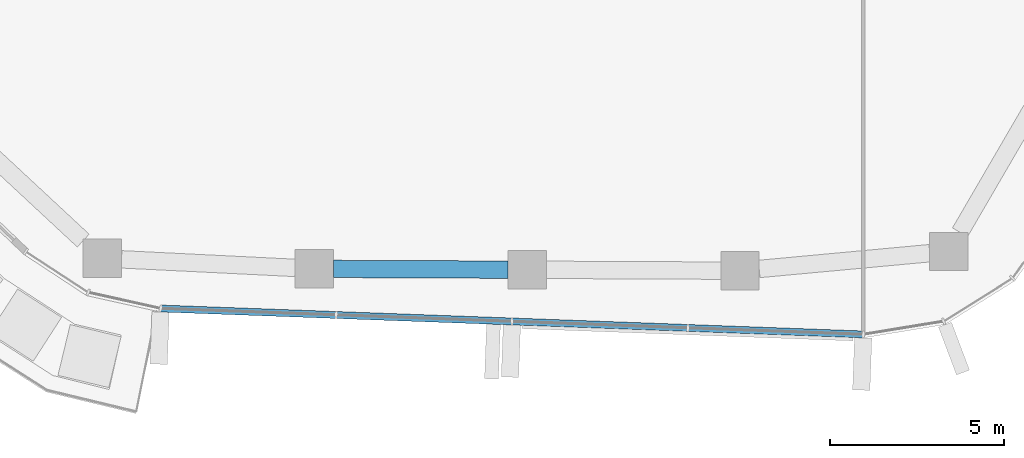
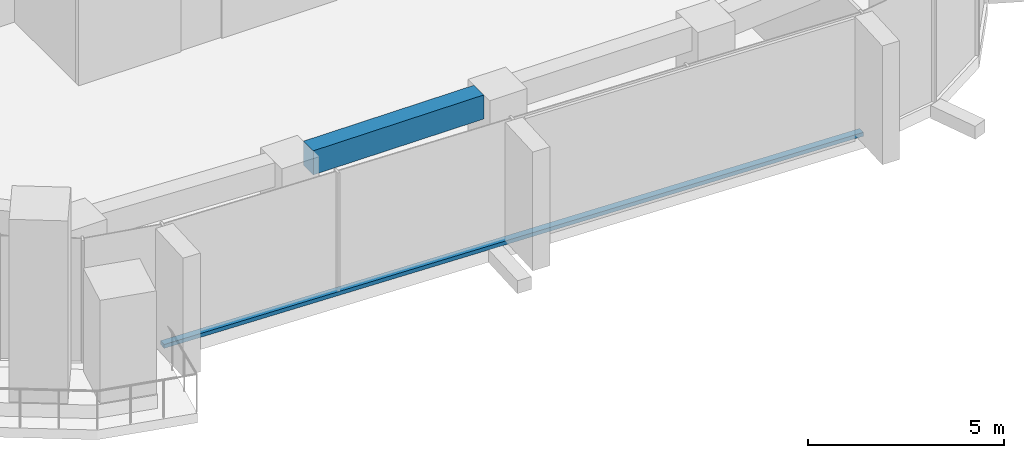
# One storey, part 3 of 21: 1 beam, 1 member, 1 element without a shape of its own.
"""IFC4 building model written with IfcOpenShell, lengths in metres."""

import ifcopenshell
import ifcopenshell.guid

model = None  # the IFC model being written
_history = None  # IfcOwnerHistory: only IFC2X3 demands one
_inside = {}  # id of a spatial element -> (the spatial element, [elements in it])
_under = {}  # id of a project, library or spatial element -> (it, [spatial elements below it])
_declared = {}  # id of a project -> (the project, [libraries it declares])
_typed = {}  # id of a type object -> (the type object, [elements of that type])
_made_of = {}  # id of a material, layer set ... -> (it, [elements and type objects made of it])


def new_model(schema):
    """Start an empty IFC model of exactly this schema.

    Asked for "IFC4X3", IfcOpenShell would pick the latest addendum, in which some entities
    have other attributes; the version numbers below select the first issue.
    IFC2X3 requires an IfcOwnerHistory on every rooted entity: one is made here for all.
    """
    global model, _history
    if schema == "IFC4X3":
        model = ifcopenshell.file(schema_version=(4, 3, 0, 0))
    else:
        model = ifcopenshell.file(schema=schema)
    _inside.clear()
    _under.clear()
    _declared.clear()
    _typed.clear()
    _made_of.clear()
    _history = None
    if model.schema == "IFC2X3":
        org = make("IfcOrganization", Name="unknown")
        user = make(
            "IfcPersonAndOrganization",
            ThePerson=make("IfcPerson", FamilyName="unknown"),
            TheOrganization=org,
        )
        app = make(
            "IfcApplication",
            ApplicationDeveloper=org,
            Version="unknown",
            ApplicationFullName="unknown",
            ApplicationIdentifier="unknown",
        )
        _history = make(
            "IfcOwnerHistory",
            OwningUser=user,
            OwningApplication=app,
            ChangeAction="ADDED",
            CreationDate=0,
        )
    return model


def make(cls, **values):
    """One entity of the class cls with the attributes given. An attribute that is None is left unset."""
    return model.create_entity(
        cls, **{name: value for name, value in values.items() if value is not None}
    )


def rooted(cls, **values):
    """An entity with a GlobalId (a new one), such as an element, a storey or a relation."""
    return make(cls, GlobalId=ifcopenshell.guid.new(), OwnerHistory=_history, **values)


def si_unit(unit_type, name, prefix=None):
    """IfcSIUnit, for example si_unit("LENGTHUNIT", "METRE", prefix="MILLI")."""
    return make("IfcSIUnit", UnitType=unit_type, Prefix=prefix, Name=name)


def assignment(units):
    """IfcUnitAssignment: the units of a project."""
    return None if units is None else make("IfcUnitAssignment", Units=units)


def point(xyz):
    """IfcCartesianPoint."""
    return None if xyz is None else make("IfcCartesianPoint", Coordinates=xyz)


def direction(xyz):
    """IfcDirection."""
    return None if xyz is None else make("IfcDirection", DirectionRatios=xyz)


def frame(location, z_axis=None, x_axis=None):
    """IfcAxis2Placement3D, a coordinate frame: its origin and axes. An axis left out is left unset."""
    return make(
        "IfcAxis2Placement3D",
        Location=point(location),
        Axis=direction(z_axis),
        RefDirection=direction(x_axis),
    )


def frame_2d(location, x_axis=None):
    """IfcAxis2Placement2D, a coordinate frame in the plane: its origin and x axis."""
    return make(
        "IfcAxis2Placement2D", Location=point(location), RefDirection=direction(x_axis)
    )


def origin():
    """The frame at (0, 0, 0) with its axes left unset."""
    return frame((0.0, 0.0, 0.0))


def origin_2d():
    """The frame at (0, 0) in the plane with its x axis left unset."""
    return frame_2d((0.0, 0.0))


def place(relative_to, where):
    """IfcLocalPlacement: puts the frame where relative to a parent placement (None: the world)."""
    return make(
        "IfcLocalPlacement", PlacementRelTo=relative_to, RelativePlacement=where
    )


def context(
    kind, dimensions, precision=None, world=None, true_north=None, identifier=None
):
    """IfcGeometricRepresentationContext, for example the 3D "Model" context."""
    return make(
        "IfcGeometricRepresentationContext",
        ContextIdentifier=identifier,
        ContextType=kind,
        CoordinateSpaceDimension=dimensions,
        Precision=precision,
        WorldCoordinateSystem=world,
        TrueNorth=true_north,
    )


def subcontext(parent, identifier, kind, view, scale=None):
    """IfcGeometricRepresentationSubContext, for example "Body" below "Model"."""
    return make(
        "IfcGeometricRepresentationSubContext",
        ContextIdentifier=identifier,
        ContextType=kind,
        ParentContext=parent,
        TargetScale=scale,
        TargetView=view,
    )


def project(units=None, contexts=None):
    """IfcProject with its units and contexts."""
    return rooted(
        "IfcProject",
        Name="project",
        RepresentationContexts=contexts,
        UnitsInContext=assignment(units),
    )


def spatial(cls, under=None, at=None, **own):
    """A site, building, storey or space (cls), placed at a placement, below another one or the project."""
    s = rooted(cls, ObjectPlacement=at, **own)
    if under is not None:
        _under.setdefault(under.id(), (under, []))[1].append(s)
    return s


def profile(cls, at=None, kind="AREA", **sizes):
    """A parametric profile (cls). Its sizes go by their IFC names, for example OverallWidth=200.0."""
    return make(cls, ProfileType=kind, Position=at, **sizes)


def rectangle(**sizes):
    """IfcRectangleProfileDef."""
    return profile("IfcRectangleProfileDef", **sizes)


def extrude(swept, where, along, depth):
    """IfcExtrudedAreaSolid: the profile swept, set in the frame where, extruded along a direction by depth."""
    return make(
        "IfcExtrudedAreaSolid",
        SweptArea=swept,
        Position=where,
        ExtrudedDirection=direction(along),
        Depth=depth,
    )


def shape(context_of_items, identifier, shape_type, items):
    """IfcShapeRepresentation: the items that make up one representation, for example the "Body"."""
    return make(
        "IfcShapeRepresentation",
        ContextOfItems=context_of_items,
        RepresentationIdentifier=identifier,
        RepresentationType=shape_type,
        Items=items,
    )


def material(Name=None, Category=None):
    """IfcMaterial."""
    return make("IfcMaterial", Name=Name, Category=Category)


def layer(
    of_material, thickness, ventilated=None, Name=None, Category=None, Priority=None
):
    """IfcMaterialLayer: one layer of a wall or slab, of a material (None: an air gap)."""
    return make(
        "IfcMaterialLayer",
        Material=of_material,
        LayerThickness=thickness,
        IsVentilated=ventilated,
        Name=Name,
        Category=Category,
        Priority=Priority,
    )


def layer_set(layers, Name=None):
    """IfcMaterialLayerSet."""
    return make("IfcMaterialLayerSet", MaterialLayers=layers, LayerSetName=Name)


def material_profile(
    of_material, cross_section, Name=None, Category=None, Priority=None
):
    """IfcMaterialProfile: a cross section and its material."""
    return make(
        "IfcMaterialProfile",
        Name=Name,
        Material=of_material,
        Profile=cross_section,
        Priority=Priority,
        Category=Category,
    )


def profile_set(profiles, Name=None, composite=None):
    """IfcMaterialProfileSet."""
    return make(
        "IfcMaterialProfileSet",
        Name=Name,
        MaterialProfiles=profiles,
        CompositeProfile=composite,
    )


def made_of(thing, what):
    """Note that an element or type object is made of a material, layer set ...; save() writes the relation."""
    if what is not None:
        _made_of.setdefault(what.id(), (what, []))[1].append(thing)
    return thing


def type_object(cls, material=None, **own):
    """A type object (cls), such as IfcWallType, which elements share."""
    return made_of(rooted(cls, **own), material)


def element(
    cls,
    number,
    at=None,
    inside=None,
    cuts=None,
    type_object=None,
    material=None,
    context=None,
    identifier="Body",
    shape_type=None,
    held_by="IfcProductDefinitionShape",
    body=None,
    shapes=None,
    **own,
):
    """One element of the class cls, such as IfcWall. Its Tag is "e" and its number.

    at: its placement. inside: the storey or other place that contains it. cuts: it is an
    opening in that element (IfcRelVoidsElement). A single representation is given by context,
    identifier, shape_type and body (its items); several are given by shapes. held_by: the class
    of the entity that holds the representations. save() writes the other relations.
    """
    e = rooted(cls, Tag="e%d" % number, ObjectPlacement=at, **own)
    if body is not None:
        shapes = [shape(context, identifier, shape_type, body)]
    if shapes is not None:
        e.Representation = make(held_by, Representations=shapes)
    if inside is not None:
        _inside.setdefault(inside.id(), (inside, []))[1].append(e)
    if cuts is not None:
        rooted(
            "IfcRelVoidsElement", RelatingBuildingElement=cuts, RelatedOpeningElement=e
        )
    if type_object is not None:
        _typed.setdefault(type_object.id(), (type_object, []))[1].append(e)
    return made_of(e, material)


def aggregate(whole, parts):
    """IfcRelAggregates: a whole, such as a stair, and the parts it consists of."""
    return rooted("IfcRelAggregates", RelatingObject=whole, RelatedObjects=parts)


def save(model, path):
    """Write the relations noted so far, then the file.

    IfcRelAggregates (storeys below a building ...), IfcRelContainedInSpatialStructure (elements
    in a storey), IfcRelDefinesByType, IfcRelAssociatesMaterial and IfcRelDeclares: one each for
    every whole, place, type object, material and project.
    """
    for whole, parts in _under.values():
        aggregate(whole, parts)
    for where, things in _inside.values():
        rooted(
            "IfcRelContainedInSpatialStructure",
            RelatedElements=things,
            RelatingStructure=where,
        )
    for kind, things in _typed.values():
        rooted("IfcRelDefinesByType", RelatedObjects=things, RelatingType=kind)
    for what, things in _made_of.values():
        rooted("IfcRelAssociatesMaterial", RelatedObjects=things, RelatingMaterial=what)
    for by, libraries in _declared.values():
        rooted("IfcRelDeclares", RelatingContext=by, RelatedDefinitions=libraries)
    model.write(path)


model = new_model("IFC4")

# Units and contexts
model_context = context("Model", 3, precision=1e-05, world=origin(), true_north=direction((0.0, 1.0)))
body_context = subcontext(model_context, "Body", "Model", "MODEL_VIEW")
ifc_project = project(units=[si_unit("LENGTHUNIT", "METRE"), si_unit("AREAUNIT", "SQUARE_METRE"), si_unit("VOLUMEUNIT", "CUBIC_METRE"), si_unit("PLANEANGLEUNIT", "RADIAN"), si_unit("MASSUNIT", "GRAM", prefix="KILO")], contexts=[model_context])

# Site, building, storey
site_placement = place(None, origin())
site = spatial("IfcSite", under=ifc_project, at=site_placement, CompositionType="ELEMENT")
building_placement = place(site_placement, origin())
building = spatial("IfcBuilding", under=site, at=building_placement, Name="Dongbaek Canopy Tower", CompositionType="ELEMENT")
storey_placement = place(building_placement, frame((0.0, 0.0, 274.800048828125)))
storey = spatial("IfcBuildingStorey", under=building, at=storey_placement, Name="L58", CompositionType="ELEMENT", Elevation=274.800048828125)

# Curtain wall, member
ifc_material_1 = material(Name="Aluminium 6063-T6 pale anodised", Category="aluminium")
ifc_layer = layer(ifc_material_1, 0.199951171875)
ifc_layer_set = layer_set([ifc_layer], Name="CW-1 unitised tower curtain wall")
curtain_wall_type = type_object("IfcCurtainWallType", Name="CW-1 unitised tower curtain wall", PredefinedType="NOTDEFINED", material=ifc_layer_set)
curtain_wall_placement = place(storey_placement, origin())
curtain_wall = element("IfcCurtainWall", 1, at=curtain_wall_placement, inside=storey, type_object=curtain_wall_type, Name="CW-1 curtain wall F4.1", PredefinedType="NOTDEFINED")
ifc_material_2 = material(Name="Aluminium 6063-T6 pale anodised", Category="aluminium")
ifc_material_profile_1 = material_profile(ifc_material_2, rectangle(XDim=0.199951171875, YDim=0.1201171875, at=origin_2d()), Name="CW-1 transom 120 x 200")
ifc_profile_set_1 = profile_set([ifc_material_profile_1], Name="Aluminium 6063-T6 pale anodised")
member_type = type_object("IfcMemberType", Name="CW-1 transom 120 x 200", PredefinedType="USERDEFINED", material=ifc_profile_set_1)
member_placement = place(storey_placement, frame((-9.021484375, -25.385498046875, 0.06005859375), z_axis=(0.999320124126, -0.036868543718, 0.0), x_axis=(0.036868543718, 0.999320124126, 0.0)))
member = element("IfcMember", 2, at=member_placement, type_object=member_type, Name="CW-1 transom F4.1.1", ObjectType="TRANSOM", PredefinedType="USERDEFINED", context=body_context, shape_type="SweptSolid", body=[
    extrude(rectangle(XDim=0.199951171875, YDim=0.1201171875, at=origin_2d()), origin(), (0.0, 0.0, 1.0), 20.190185546875),
])
aggregate(curtain_wall, [member])

# Beam
ifc_material_3 = material(Name="Concrete C70", Category="concrete")
ifc_material_profile_2 = material_profile(ifc_material_3, rectangle(XDim=0.5, YDim=0.75, at=origin_2d()), Name="RC EDGE BEAM 500x750 C70")
ifc_profile_set_2 = profile_set([ifc_material_profile_2], Name="Concrete C70")
beam_type = type_object("IfcBeamType", Name="RC EDGE BEAM 500x750 C70", PredefinedType="BEAM", material=ifc_profile_set_2)
beam_placement = place(storey_placement, frame((0.951904296875, -24.269775390625, 3.445068359375), z_axis=(-0.999990816155, 0.0042857445, 0.0), x_axis=(-0.0042857445, -0.999990816155, 0.0)))
element("IfcBeam", 3, at=beam_placement, inside=storey, type_object=beam_type, Name="EDGEBEAM:L58:02", PredefinedType="BEAM", context=body_context, shape_type="SweptSolid", body=[
    extrude(rectangle(XDim=0.5, YDim=0.75, at=origin_2d()), origin(), (0.0, 0.0, 1.0), 5.012939453125),
])

save(model, "model.ifc")
